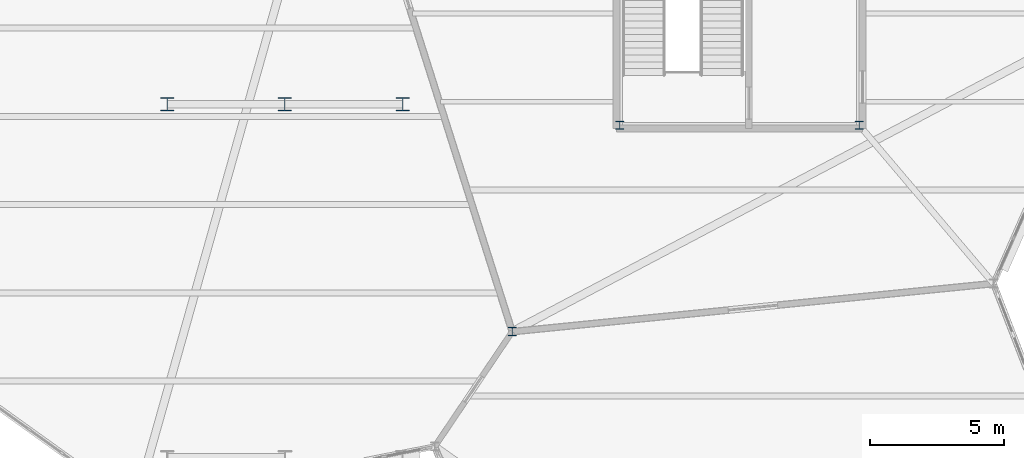
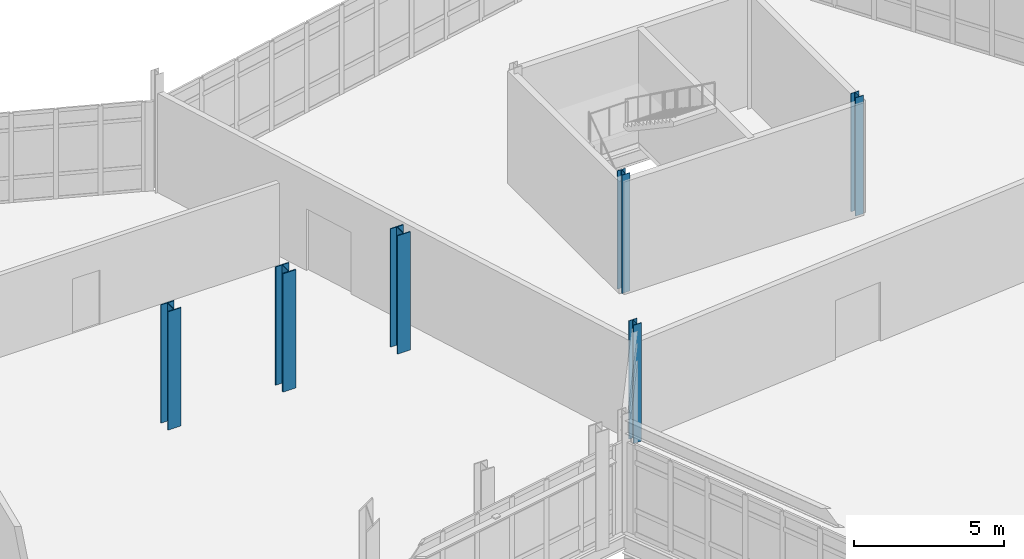
# One storey, part 19 of 134: 6 columns.
"""IFC4 building model written with IfcOpenShell, lengths in metres."""

import ifcopenshell
import ifcopenshell.guid

model = None  # the IFC model being written
_history = None  # IfcOwnerHistory: only IFC2X3 demands one
_inside = {}  # id of a spatial element -> (the spatial element, [elements in it])
_under = {}  # id of a project, library or spatial element -> (it, [spatial elements below it])
_declared = {}  # id of a project -> (the project, [libraries it declares])
_typed = {}  # id of a type object -> (the type object, [elements of that type])
_made_of = {}  # id of a material, layer set ... -> (it, [elements and type objects made of it])


def new_model(schema):
    """Start an empty IFC model of exactly this schema.

    Asked for "IFC4X3", IfcOpenShell would pick the latest addendum, in which some entities
    have other attributes; the version numbers below select the first issue.
    IFC2X3 requires an IfcOwnerHistory on every rooted entity: one is made here for all.
    """
    global model, _history
    if schema == "IFC4X3":
        model = ifcopenshell.file(schema_version=(4, 3, 0, 0))
    else:
        model = ifcopenshell.file(schema=schema)
    _inside.clear()
    _under.clear()
    _declared.clear()
    _typed.clear()
    _made_of.clear()
    _history = None
    if model.schema == "IFC2X3":
        org = make("IfcOrganization", Name="unknown")
        user = make(
            "IfcPersonAndOrganization",
            ThePerson=make("IfcPerson", FamilyName="unknown"),
            TheOrganization=org,
        )
        app = make(
            "IfcApplication",
            ApplicationDeveloper=org,
            Version="unknown",
            ApplicationFullName="unknown",
            ApplicationIdentifier="unknown",
        )
        _history = make(
            "IfcOwnerHistory",
            OwningUser=user,
            OwningApplication=app,
            ChangeAction="ADDED",
            CreationDate=0,
        )
    return model


def make(cls, **values):
    """One entity of the class cls with the attributes given. An attribute that is None is left unset."""
    return model.create_entity(
        cls, **{name: value for name, value in values.items() if value is not None}
    )


def rooted(cls, **values):
    """An entity with a GlobalId (a new one), such as an element, a storey or a relation."""
    return make(cls, GlobalId=ifcopenshell.guid.new(), OwnerHistory=_history, **values)


def si_unit(unit_type, name, prefix=None):
    """IfcSIUnit, for example si_unit("LENGTHUNIT", "METRE", prefix="MILLI")."""
    return make("IfcSIUnit", UnitType=unit_type, Prefix=prefix, Name=name)


def assignment(units):
    """IfcUnitAssignment: the units of a project."""
    return None if units is None else make("IfcUnitAssignment", Units=units)


def point(xyz):
    """IfcCartesianPoint."""
    return None if xyz is None else make("IfcCartesianPoint", Coordinates=xyz)


def direction(xyz):
    """IfcDirection."""
    return None if xyz is None else make("IfcDirection", DirectionRatios=xyz)


def frame(location, z_axis=None, x_axis=None):
    """IfcAxis2Placement3D, a coordinate frame: its origin and axes. An axis left out is left unset."""
    return make(
        "IfcAxis2Placement3D",
        Location=point(location),
        Axis=direction(z_axis),
        RefDirection=direction(x_axis),
    )


def frame_2d(location, x_axis=None):
    """IfcAxis2Placement2D, a coordinate frame in the plane: its origin and x axis."""
    return make(
        "IfcAxis2Placement2D", Location=point(location), RefDirection=direction(x_axis)
    )


def origin():
    """The frame at (0, 0, 0) with its axes left unset."""
    return frame((0.0, 0.0, 0.0))


def origin_2d():
    """The frame at (0, 0) in the plane with its x axis left unset."""
    return frame_2d((0.0, 0.0))


def place(relative_to, where):
    """IfcLocalPlacement: puts the frame where relative to a parent placement (None: the world)."""
    return make(
        "IfcLocalPlacement", PlacementRelTo=relative_to, RelativePlacement=where
    )


def context(
    kind, dimensions, precision=None, world=None, true_north=None, identifier=None
):
    """IfcGeometricRepresentationContext, for example the 3D "Model" context."""
    return make(
        "IfcGeometricRepresentationContext",
        ContextIdentifier=identifier,
        ContextType=kind,
        CoordinateSpaceDimension=dimensions,
        Precision=precision,
        WorldCoordinateSystem=world,
        TrueNorth=true_north,
    )


def subcontext(parent, identifier, kind, view, scale=None):
    """IfcGeometricRepresentationSubContext, for example "Body" below "Model"."""
    return make(
        "IfcGeometricRepresentationSubContext",
        ContextIdentifier=identifier,
        ContextType=kind,
        ParentContext=parent,
        TargetScale=scale,
        TargetView=view,
    )


def project(units=None, contexts=None):
    """IfcProject with its units and contexts."""
    return rooted(
        "IfcProject",
        Name="project",
        RepresentationContexts=contexts,
        UnitsInContext=assignment(units),
    )


def spatial(cls, under=None, at=None, **own):
    """A site, building, storey or space (cls), placed at a placement, below another one or the project."""
    s = rooted(cls, ObjectPlacement=at, **own)
    if under is not None:
        _under.setdefault(under.id(), (under, []))[1].append(s)
    return s


def profile(cls, at=None, kind="AREA", **sizes):
    """A parametric profile (cls). Its sizes go by their IFC names, for example OverallWidth=200.0."""
    return make(cls, ProfileType=kind, Position=at, **sizes)


def i_section(**sizes):
    """IfcIShapeProfileDef."""
    return profile("IfcIShapeProfileDef", **sizes)


def extrude(swept, where, along, depth):
    """IfcExtrudedAreaSolid: the profile swept, set in the frame where, extruded along a direction by depth."""
    return make(
        "IfcExtrudedAreaSolid",
        SweptArea=swept,
        Position=where,
        ExtrudedDirection=direction(along),
        Depth=depth,
    )


def shape(context_of_items, identifier, shape_type, items):
    """IfcShapeRepresentation: the items that make up one representation, for example the "Body"."""
    return make(
        "IfcShapeRepresentation",
        ContextOfItems=context_of_items,
        RepresentationIdentifier=identifier,
        RepresentationType=shape_type,
        Items=items,
    )


def material(Name=None, Category=None):
    """IfcMaterial."""
    return make("IfcMaterial", Name=Name, Category=Category)


def material_profile(
    of_material, cross_section, Name=None, Category=None, Priority=None
):
    """IfcMaterialProfile: a cross section and its material."""
    return make(
        "IfcMaterialProfile",
        Name=Name,
        Material=of_material,
        Profile=cross_section,
        Priority=Priority,
        Category=Category,
    )


def profile_set(profiles, Name=None, composite=None):
    """IfcMaterialProfileSet."""
    return make(
        "IfcMaterialProfileSet",
        Name=Name,
        MaterialProfiles=profiles,
        CompositeProfile=composite,
    )


def made_of(thing, what):
    """Note that an element or type object is made of a material, layer set ...; save() writes the relation."""
    if what is not None:
        _made_of.setdefault(what.id(), (what, []))[1].append(thing)
    return thing


def type_object(cls, material=None, **own):
    """A type object (cls), such as IfcWallType, which elements share."""
    return made_of(rooted(cls, **own), material)


def element(
    cls,
    number,
    at=None,
    inside=None,
    cuts=None,
    type_object=None,
    material=None,
    context=None,
    identifier="Body",
    shape_type=None,
    held_by="IfcProductDefinitionShape",
    body=None,
    shapes=None,
    **own,
):
    """One element of the class cls, such as IfcWall. Its Tag is "e" and its number.

    at: its placement. inside: the storey or other place that contains it. cuts: it is an
    opening in that element (IfcRelVoidsElement). A single representation is given by context,
    identifier, shape_type and body (its items); several are given by shapes. held_by: the class
    of the entity that holds the representations. save() writes the other relations.
    """
    e = rooted(cls, Tag="e%d" % number, ObjectPlacement=at, **own)
    if body is not None:
        shapes = [shape(context, identifier, shape_type, body)]
    if shapes is not None:
        e.Representation = make(held_by, Representations=shapes)
    if inside is not None:
        _inside.setdefault(inside.id(), (inside, []))[1].append(e)
    if cuts is not None:
        rooted(
            "IfcRelVoidsElement", RelatingBuildingElement=cuts, RelatedOpeningElement=e
        )
    if type_object is not None:
        _typed.setdefault(type_object.id(), (type_object, []))[1].append(e)
    return made_of(e, material)


def aggregate(whole, parts):
    """IfcRelAggregates: a whole, such as a stair, and the parts it consists of."""
    return rooted("IfcRelAggregates", RelatingObject=whole, RelatedObjects=parts)


def save(model, path):
    """Write the relations noted so far, then the file.

    IfcRelAggregates (storeys below a building ...), IfcRelContainedInSpatialStructure (elements
    in a storey), IfcRelDefinesByType, IfcRelAssociatesMaterial and IfcRelDeclares: one each for
    every whole, place, type object, material and project.
    """
    for whole, parts in _under.values():
        aggregate(whole, parts)
    for where, things in _inside.values():
        rooted(
            "IfcRelContainedInSpatialStructure",
            RelatedElements=things,
            RelatingStructure=where,
        )
    for kind, things in _typed.values():
        rooted("IfcRelDefinesByType", RelatedObjects=things, RelatingType=kind)
    for what, things in _made_of.values():
        rooted("IfcRelAssociatesMaterial", RelatedObjects=things, RelatingMaterial=what)
    for by, libraries in _declared.values():
        rooted("IfcRelDeclares", RelatingContext=by, RelatedDefinitions=libraries)
    model.write(path)


model = new_model("IFC4")

# Units and contexts
model_context = context("Model", 3, precision=1e-05, world=origin(), true_north=direction((0.0, 1.0)))
body_context = subcontext(model_context, "Body", "Model", "MODEL_VIEW")
ifc_project = project(units=[si_unit("LENGTHUNIT", "METRE"), si_unit("AREAUNIT", "SQUARE_METRE"), si_unit("VOLUMEUNIT", "CUBIC_METRE"), si_unit("PLANEANGLEUNIT", "RADIAN"), si_unit("MASSUNIT", "GRAM", prefix="KILO")], contexts=[model_context])

# Site, building, storey
site_placement = place(None, origin())
site = spatial("IfcSite", under=ifc_project, at=site_placement, CompositionType="ELEMENT")
building_placement = place(site_placement, origin())
building = spatial("IfcBuilding", under=site, at=building_placement, Name="Tameran Prism Museum", CompositionType="ELEMENT")
storey_placement = place(building_placement, frame((0.0, 0.0, 5.39990234375)))
storey = spatial("IfcBuildingStorey", under=building, at=storey_placement, Name="L01", CompositionType="ELEMENT", Elevation=5.39990234375)

# Columns
ifc_material_1 = material(Name="Steel Grade 300PLUS (300 MPa)", Category="steel")
ifc_material_profile_1 = material_profile(ifc_material_1, i_section(OverallWidth=0.306884765625, OverallDepth=0.31494140625, WebThickness=0.011962890625, FlangeThickness=0.018798828125, FilletRadius=0.0166015625, at=origin_2d()))
ifc_profile_set_1 = profile_set([ifc_material_profile_1])
column_type_1 = type_object("IfcColumnType", Name="COL-UC310C", PredefinedType="COLUMN", material=ifc_profile_set_1)
for number, where, z_axis, x_axis, name in (
    (1, (144.0, 22.199951171875, 0.0), (0.0, 0.0, 1.0), (1.0, 0.0, 0.0), "Column CV-61 L01"),
    (2, (148.02001953125, 29.919921875, 0.0), (0.0, 0.0, 1.0), (1.0, 0.0, 0.0), "Column CC-13-1 L01"),
    (3, (156.97998046875, 29.919921875, 0.0), (0.0, 0.0, 1.0), (1.0, 0.0, 0.0), "Column CC-13-2 L01"),
):
    element("IfcColumn", number, at=place(storey_placement, frame(where, z_axis=z_axis, x_axis=x_axis)), inside=storey, type_object=column_type_1, Name=name, PredefinedType="COLUMN", context=body_context, shape_type="SweptSolid", body=[
        extrude(i_section(OverallWidth=0.306884765625, OverallDepth=0.31494140625, WebThickness=0.011962890625, FlangeThickness=0.018798828125, FilletRadius=0.0166015625, at=origin_2d()), origin(), (0.0, 0.0, 1.0), 4.800048828125),
    ])
ifc_material_2 = material(Name="Steel Grade 350 (350 MPa)", Category="steel")
ifc_material_profile_2 = material_profile(ifc_material_2, i_section(OverallWidth=0.5, OverallDepth=0.5, WebThickness=0.02197265625, FlangeThickness=0.035888671875, at=origin_2d()))
ifc_profile_set_2 = profile_set([ifc_material_profile_2])
column_type_2 = type_object("IfcColumnType", Name="COL-WC500", PredefinedType="COLUMN", material=ifc_profile_set_2)
for number, where, z_axis, x_axis, name in (
    (4, (131.10009765625, 30.699951171875, 0.0), (0.0, 0.0, 1.0), (1.0, 0.0, 0.0), "Column CT-1A L01"),
    (5, (135.5, 30.699951171875, 0.0), (0.0, 0.0, 1.0), (1.0, 0.0, 0.0), "Column CT-2A L01"),
    (6, (139.89990234375, 30.699951171875, 0.0), (0.0, 0.0, 1.0), (1.0, 0.0, 0.0), "Column CT-3A L01"),
):
    element("IfcColumn", number, at=place(storey_placement, frame(where, z_axis=z_axis, x_axis=x_axis)), inside=storey, type_object=column_type_2, Name=name, PredefinedType="COLUMN", context=body_context, shape_type="SweptSolid", body=[
        extrude(i_section(OverallWidth=0.5, OverallDepth=0.5, WebThickness=0.02197265625, FlangeThickness=0.035888671875, at=origin_2d()), origin(), (0.0, 0.0, 1.0), 4.800048828125),
    ])

save(model, "model.ifc")
